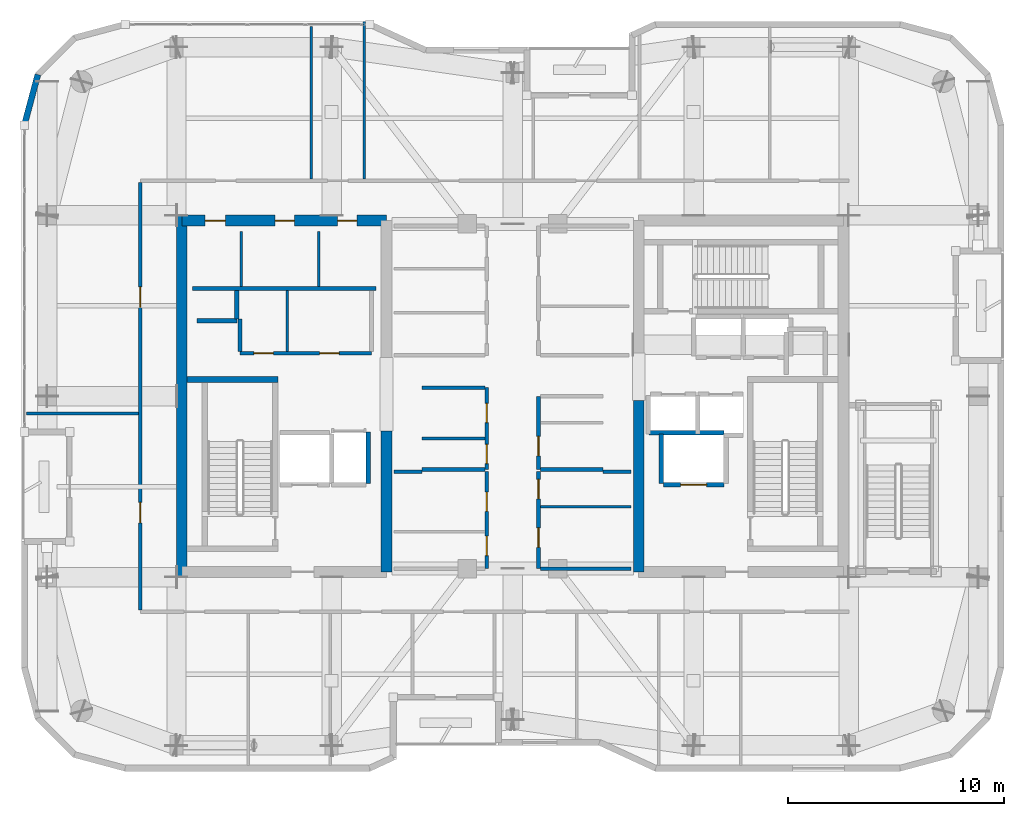
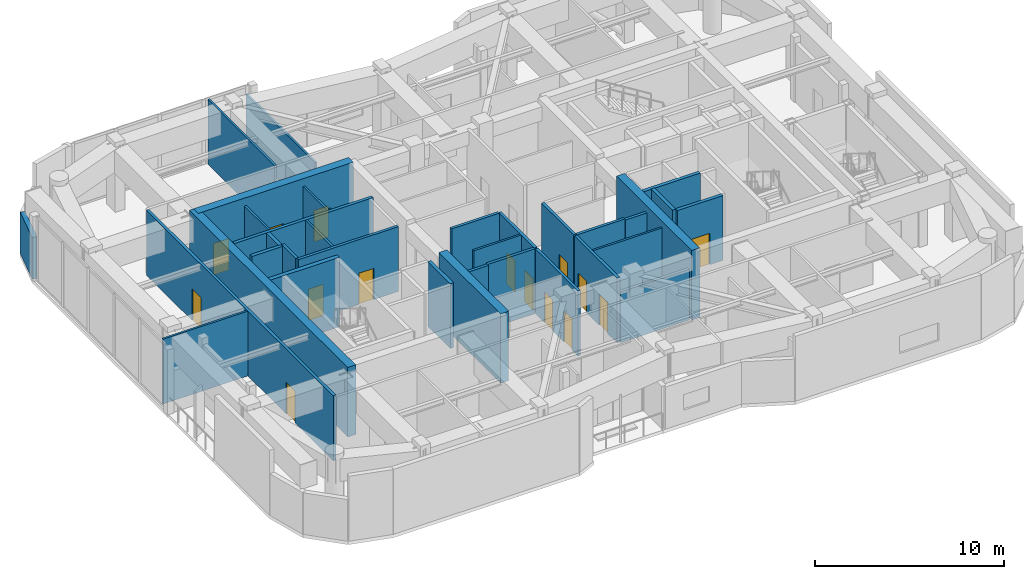
# One storey, part 12 of 17: 34 walls, 15 doors, 15 openings.
"""IFC4 building model written with IfcOpenShell, lengths in metres."""

import ifcopenshell
import ifcopenshell.guid

model = None  # the IFC model being written
_history = None  # IfcOwnerHistory: only IFC2X3 demands one
_inside = {}  # id of a spatial element -> (the spatial element, [elements in it])
_under = {}  # id of a project, library or spatial element -> (it, [spatial elements below it])
_declared = {}  # id of a project -> (the project, [libraries it declares])
_typed = {}  # id of a type object -> (the type object, [elements of that type])
_made_of = {}  # id of a material, layer set ... -> (it, [elements and type objects made of it])


def new_model(schema):
    """Start an empty IFC model of exactly this schema.

    Asked for "IFC4X3", IfcOpenShell would pick the latest addendum, in which some entities
    have other attributes; the version numbers below select the first issue.
    IFC2X3 requires an IfcOwnerHistory on every rooted entity: one is made here for all.
    """
    global model, _history
    if schema == "IFC4X3":
        model = ifcopenshell.file(schema_version=(4, 3, 0, 0))
    else:
        model = ifcopenshell.file(schema=schema)
    _inside.clear()
    _under.clear()
    _declared.clear()
    _typed.clear()
    _made_of.clear()
    _history = None
    if model.schema == "IFC2X3":
        org = make("IfcOrganization", Name="unknown")
        user = make(
            "IfcPersonAndOrganization",
            ThePerson=make("IfcPerson", FamilyName="unknown"),
            TheOrganization=org,
        )
        app = make(
            "IfcApplication",
            ApplicationDeveloper=org,
            Version="unknown",
            ApplicationFullName="unknown",
            ApplicationIdentifier="unknown",
        )
        _history = make(
            "IfcOwnerHistory",
            OwningUser=user,
            OwningApplication=app,
            ChangeAction="ADDED",
            CreationDate=0,
        )
    return model


def make(cls, **values):
    """One entity of the class cls with the attributes given. An attribute that is None is left unset."""
    return model.create_entity(
        cls, **{name: value for name, value in values.items() if value is not None}
    )


def rooted(cls, **values):
    """An entity with a GlobalId (a new one), such as an element, a storey or a relation."""
    return make(cls, GlobalId=ifcopenshell.guid.new(), OwnerHistory=_history, **values)


def si_unit(unit_type, name, prefix=None):
    """IfcSIUnit, for example si_unit("LENGTHUNIT", "METRE", prefix="MILLI")."""
    return make("IfcSIUnit", UnitType=unit_type, Prefix=prefix, Name=name)


def assignment(units):
    """IfcUnitAssignment: the units of a project."""
    return None if units is None else make("IfcUnitAssignment", Units=units)


def point(xyz):
    """IfcCartesianPoint."""
    return None if xyz is None else make("IfcCartesianPoint", Coordinates=xyz)


def direction(xyz):
    """IfcDirection."""
    return None if xyz is None else make("IfcDirection", DirectionRatios=xyz)


def frame(location, z_axis=None, x_axis=None):
    """IfcAxis2Placement3D, a coordinate frame: its origin and axes. An axis left out is left unset."""
    return make(
        "IfcAxis2Placement3D",
        Location=point(location),
        Axis=direction(z_axis),
        RefDirection=direction(x_axis),
    )


def frame_2d(location, x_axis=None):
    """IfcAxis2Placement2D, a coordinate frame in the plane: its origin and x axis."""
    return make(
        "IfcAxis2Placement2D", Location=point(location), RefDirection=direction(x_axis)
    )


def origin():
    """The frame at (0, 0, 0) with its axes left unset."""
    return frame((0.0, 0.0, 0.0))


def place(relative_to, where):
    """IfcLocalPlacement: puts the frame where relative to a parent placement (None: the world)."""
    return make(
        "IfcLocalPlacement", PlacementRelTo=relative_to, RelativePlacement=where
    )


def context(
    kind, dimensions, precision=None, world=None, true_north=None, identifier=None
):
    """IfcGeometricRepresentationContext, for example the 3D "Model" context."""
    return make(
        "IfcGeometricRepresentationContext",
        ContextIdentifier=identifier,
        ContextType=kind,
        CoordinateSpaceDimension=dimensions,
        Precision=precision,
        WorldCoordinateSystem=world,
        TrueNorth=true_north,
    )


def subcontext(parent, identifier, kind, view, scale=None):
    """IfcGeometricRepresentationSubContext, for example "Body" below "Model"."""
    return make(
        "IfcGeometricRepresentationSubContext",
        ContextIdentifier=identifier,
        ContextType=kind,
        ParentContext=parent,
        TargetScale=scale,
        TargetView=view,
    )


def project(units=None, contexts=None):
    """IfcProject with its units and contexts."""
    return rooted(
        "IfcProject",
        Name="project",
        RepresentationContexts=contexts,
        UnitsInContext=assignment(units),
    )


def spatial(cls, under=None, at=None, **own):
    """A site, building, storey or space (cls), placed at a placement, below another one or the project."""
    s = rooted(cls, ObjectPlacement=at, **own)
    if under is not None:
        _under.setdefault(under.id(), (under, []))[1].append(s)
    return s


def profile(cls, at=None, kind="AREA", **sizes):
    """A parametric profile (cls). Its sizes go by their IFC names, for example OverallWidth=200.0."""
    return make(cls, ProfileType=kind, Position=at, **sizes)


def rectangle(**sizes):
    """IfcRectangleProfileDef."""
    return profile("IfcRectangleProfileDef", **sizes)


def extrude(swept, where, along, depth):
    """IfcExtrudedAreaSolid: the profile swept, set in the frame where, extruded along a direction by depth."""
    return make(
        "IfcExtrudedAreaSolid",
        SweptArea=swept,
        Position=where,
        ExtrudedDirection=direction(along),
        Depth=depth,
    )


def shape(context_of_items, identifier, shape_type, items):
    """IfcShapeRepresentation: the items that make up one representation, for example the "Body"."""
    return make(
        "IfcShapeRepresentation",
        ContextOfItems=context_of_items,
        RepresentationIdentifier=identifier,
        RepresentationType=shape_type,
        Items=items,
    )


def material(Name=None, Category=None):
    """IfcMaterial."""
    return make("IfcMaterial", Name=Name, Category=Category)


def layer(
    of_material, thickness, ventilated=None, Name=None, Category=None, Priority=None
):
    """IfcMaterialLayer: one layer of a wall or slab, of a material (None: an air gap)."""
    return make(
        "IfcMaterialLayer",
        Material=of_material,
        LayerThickness=thickness,
        IsVentilated=ventilated,
        Name=Name,
        Category=Category,
        Priority=Priority,
    )


def layer_set(layers, Name=None):
    """IfcMaterialLayerSet."""
    return make("IfcMaterialLayerSet", MaterialLayers=layers, LayerSetName=Name)


def made_of(thing, what):
    """Note that an element or type object is made of a material, layer set ...; save() writes the relation."""
    if what is not None:
        _made_of.setdefault(what.id(), (what, []))[1].append(thing)
    return thing


def type_object(cls, material=None, **own):
    """A type object (cls), such as IfcWallType, which elements share."""
    return made_of(rooted(cls, **own), material)


def element(
    cls,
    number,
    at=None,
    inside=None,
    cuts=None,
    type_object=None,
    material=None,
    context=None,
    identifier="Body",
    shape_type=None,
    held_by="IfcProductDefinitionShape",
    body=None,
    shapes=None,
    **own,
):
    """One element of the class cls, such as IfcWall. Its Tag is "e" and its number.

    at: its placement. inside: the storey or other place that contains it. cuts: it is an
    opening in that element (IfcRelVoidsElement). A single representation is given by context,
    identifier, shape_type and body (its items); several are given by shapes. held_by: the class
    of the entity that holds the representations. save() writes the other relations.
    """
    e = rooted(cls, Tag="e%d" % number, ObjectPlacement=at, **own)
    if body is not None:
        shapes = [shape(context, identifier, shape_type, body)]
    if shapes is not None:
        e.Representation = make(held_by, Representations=shapes)
    if inside is not None:
        _inside.setdefault(inside.id(), (inside, []))[1].append(e)
    if cuts is not None:
        rooted(
            "IfcRelVoidsElement", RelatingBuildingElement=cuts, RelatedOpeningElement=e
        )
    if type_object is not None:
        _typed.setdefault(type_object.id(), (type_object, []))[1].append(e)
    return made_of(e, material)


def fill(opening, filler):
    """IfcRelFillsElement: the door or window that sits in an opening."""
    return rooted(
        "IfcRelFillsElement",
        RelatingOpeningElement=opening,
        RelatedBuildingElement=filler,
    )


def aggregate(whole, parts):
    """IfcRelAggregates: a whole, such as a stair, and the parts it consists of."""
    return rooted("IfcRelAggregates", RelatingObject=whole, RelatedObjects=parts)


def save(model, path):
    """Write the relations noted so far, then the file.

    IfcRelAggregates (storeys below a building ...), IfcRelContainedInSpatialStructure (elements
    in a storey), IfcRelDefinesByType, IfcRelAssociatesMaterial and IfcRelDeclares: one each for
    every whole, place, type object, material and project.
    """
    for whole, parts in _under.values():
        aggregate(whole, parts)
    for where, things in _inside.values():
        rooted(
            "IfcRelContainedInSpatialStructure",
            RelatedElements=things,
            RelatingStructure=where,
        )
    for kind, things in _typed.values():
        rooted("IfcRelDefinesByType", RelatedObjects=things, RelatingType=kind)
    for what, things in _made_of.values():
        rooted("IfcRelAssociatesMaterial", RelatedObjects=things, RelatingMaterial=what)
    for by, libraries in _declared.values():
        rooted("IfcRelDeclares", RelatingContext=by, RelatedDefinitions=libraries)
    model.write(path)


model = new_model("IFC4")

# Units and contexts
model_context = context("Model", 3, precision=1e-05, world=origin(), true_north=direction((0.0, 1.0)))
body_context = subcontext(model_context, "Body", "Model", "MODEL_VIEW")
ifc_project = project(units=[si_unit("LENGTHUNIT", "METRE"), si_unit("AREAUNIT", "SQUARE_METRE"), si_unit("VOLUMEUNIT", "CUBIC_METRE"), si_unit("PLANEANGLEUNIT", "RADIAN"), si_unit("MASSUNIT", "GRAM", prefix="KILO")], contexts=[model_context])

# Site, building, storey
site_placement = place(None, origin())
site = spatial("IfcSite", under=ifc_project, at=site_placement, CompositionType="ELEMENT")
building_placement = place(site_placement, origin())
building = spatial("IfcBuilding", under=site, at=building_placement, Name="Kiyonajd Concourse Tower", CompositionType="ELEMENT")
storey_placement = place(building_placement, frame((0.0, 0.0, 350.39990234375)))
storey = spatial("IfcBuildingStorey", under=building, at=storey_placement, Name="L88", CompositionType="ELEMENT", Elevation=350.39990234375)

# Walls
ifc_material_1 = material(Name="Concrete C60/75", Category="concrete")
ifc_layer_1 = layer(ifc_material_1, 0.5)
ifc_layer_set_1 = layer_set([ifc_layer_1], Name="Concrete C60/75")
wall_type_1 = type_object("IfcWallType", Name="WL-CORE-500", PredefinedType="SHEAR", material=ifc_layer_set_1)
wall_1_placement = place(storey_placement, frame((32.64990234375, 27.60009765625, 0.0), z_axis=(0.0, 0.0, 1.0), x_axis=(0.0, 1.0, 0.0)))
element("IfcWall", 1, at=wall_1_placement, inside=storey, type_object=wall_type_1, Name="L88 West Core Outer Shear Wall", PredefinedType="SHEAR", context=body_context, shape_type="SweptSolid", body=[
    extrude(rectangle(XDim=16.7998046875, YDim=0.5, at=frame_2d((8.39990234375, 0.0))), origin(), (0.0, 0.0, 1.0), 4.5),
])
wall_2_placement = place(storey_placement, frame((42.14990234375, 27.85009765625, 0.0), z_axis=(0.0, 0.0, 1.0), x_axis=(0.0, 1.0, 0.0)))
element("IfcWall", 2, at=wall_2_placement, inside=storey, type_object=wall_type_1, Name="L88 West Core Inner South Shear Wall", PredefinedType="SHEAR", context=body_context, shape_type="SweptSolid", body=[
    extrude(rectangle(XDim=6.5498046875, YDim=0.5, at=frame_2d((3.27490234375, 0.0))), origin(), (0.0, 0.0, 1.0), 4.5),
])

# Wall, openings, doors
wall_3_placement = place(storey_placement, frame((32.64990234375, 44.14990234375, 0.0), z_axis=(0.0, 0.0, 1.0), x_axis=(1.0, 0.0, 0.0)))
wall_3 = element("IfcWall", 3, at=wall_3_placement, inside=storey, type_object=wall_type_1, Name="L88 West Core North Shear Wall", PredefinedType="SHEAR", context=body_context, shape_type="SweptSolid", body=[
    extrude(rectangle(XDim=9.5, YDim=0.5, at=frame_2d((4.75, 0.0))), origin(), (0.0, 0.0, 1.0), 4.5),
])
opening_1_placement = place(wall_3_placement, frame((1.074951171875, 0.0, 0.0)))
opening_1 = element("IfcOpeningElement", 4, at=opening_1_placement, cuts=wall_3, Name="Opening DI1", PredefinedType="OPENING", context=body_context, shape_type="SweptSolid", body=[
    extrude(rectangle(XDim=0.949951171875, YDim=2.0400390625, at=frame_2d((0.47509765625, 1.02001953125))), frame((0.0, 0.260009765625, 0.0), z_axis=(0.0, -1.0, 0.0), x_axis=(1.0, 0.0, 0.0)), (0.0, 0.0, 1.0), 0.52001953125),
])
opening_2_placement = place(wall_3_placement, frame((4.324951171875, 0.0, 0.0)))
opening_2 = element("IfcOpeningElement", 5, at=opening_2_placement, cuts=wall_3, Name="Opening DI2", PredefinedType="OPENING", context=body_context, shape_type="SweptSolid", body=[
    extrude(rectangle(XDim=0.89990234375, YDim=2.02001953125, at=frame_2d((0.449951171875, 1.010009765625))), frame((0.0, 0.260009765625, 0.0), z_axis=(0.0, -1.0, 0.0), x_axis=(1.0, 0.0, 0.0)), (0.0, 0.0, 1.0), 0.52001953125),
])
opening_3_placement = place(wall_3_placement, frame((7.22509765625, 0.0, 0.0)))
opening_3 = element("IfcOpeningElement", 6, at=opening_3_placement, cuts=wall_3, Name="Opening DI2", PredefinedType="OPENING", context=body_context, shape_type="SweptSolid", body=[
    extrude(rectangle(XDim=0.89990234375, YDim=2.02001953125, at=frame_2d((0.449951171875, 1.010009765625))), frame((0.0, 0.260009765625, 0.0), z_axis=(0.0, -1.0, 0.0), x_axis=(1.0, 0.0, 0.0)), (0.0, 0.0, 1.0), 0.52001953125),
])
ifc_material_2 = material(Name="Natural Oak Acoustic Timber Veneer", Category="wood")
door_type_1 = type_object("IfcDoorType", Name="DR-INT-900", OperationType="NOTDEFINED", PredefinedType="DOOR", material=ifc_material_2)
door_1_placement = place(opening_2_placement, origin())
door_1 = element("IfcDoor", 7, at=door_1_placement, inside=storey, type_object=door_type_1, Name="L88 Male Restroom Door", OperationType="SINGLE_SWING_RIGHT", OverallHeight=2.02001953125, OverallWidth=0.89990234375, PredefinedType="DOOR", context=body_context, shape_type="SweptSolid", body=[
    extrude(rectangle(XDim=0.89990234375, YDim=2.02001953125, at=frame_2d((0.449951171875, 1.010009765625))), frame((0.0, 0.02490234375, 0.0), z_axis=(0.0, -1.0, 0.0), x_axis=(1.0, 0.0, 0.0)), (0.0, 0.0, 1.0), 0.050048828125),
])
fill(opening_2, door_1)
door_2_placement = place(opening_3_placement, origin())
door_2 = element("IfcDoor", 8, at=door_2_placement, inside=storey, type_object=door_type_1, Name="L88 Female Restroom Door", OperationType="SINGLE_SWING_LEFT", OverallHeight=2.02001953125, OverallWidth=0.89990234375, PredefinedType="DOOR", context=body_context, shape_type="SweptSolid", body=[
    extrude(rectangle(XDim=0.89990234375, YDim=2.02001953125, at=frame_2d((0.449951171875, 1.010009765625))), frame((0.0, 0.02490234375, 0.0), z_axis=(0.0, -1.0, 0.0), x_axis=(1.0, 0.0, 0.0)), (0.0, 0.0, 1.0), 0.050048828125),
])
fill(opening_3, door_2)
door_type_2 = type_object("IfcDoorType", Name="DR-INT-950", OperationType="NOTDEFINED", PredefinedType="DOOR", material=ifc_material_2)
door_3_placement = place(opening_1_placement, origin())
door_3 = element("IfcDoor", 9, at=door_3_placement, inside=storey, type_object=door_type_2, Name="L88 Single User Accessible WC Door", OperationType="SINGLE_SWING_LEFT", OverallHeight=2.0400390625, OverallWidth=0.949951171875, PredefinedType="DOOR", context=body_context, shape_type="SweptSolid", body=[
    extrude(rectangle(XDim=0.949951171875, YDim=2.0400390625, at=frame_2d((0.47509765625, 1.02001953125))), frame((0.0, 0.02490234375, 0.0), z_axis=(0.0, -1.0, 0.0), x_axis=(1.0, 0.0, 0.0)), (0.0, 0.0, 1.0), 0.050048828125),
])
fill(opening_1, door_3)

# Walls
wall_4_placement = place(storey_placement, frame((53.85009765625, 27.85009765625, 0.0), z_axis=(0.0, 0.0, 1.0), x_axis=(0.0, 1.0, 0.0)))
element("IfcWall", 10, at=wall_4_placement, inside=storey, type_object=wall_type_1, Name="L88 East Core Inner South Shear Wall", PredefinedType="SHEAR", context=body_context, shape_type="SweptSolid", body=[
    extrude(rectangle(XDim=7.949951171875, YDim=0.5, at=frame_2d((3.97509765625, 0.0))), origin(), (0.0, 0.0, 1.0), 4.5),
])
ifc_material_3 = material(Name="Precast concrete C50/60", Category="concrete")
ifc_layer_2 = layer(ifc_material_3, 0.280029296875)
ifc_layer_set_2 = layer_set([ifc_layer_2], Name="Precast concrete C50/60")
wall_type_2 = type_object("IfcWallType", Name="WL-EXT-280", PredefinedType="SOLIDWALL", material=ifc_layer_set_2)
wall_5_placement = place(storey_placement, frame((25.340087890625, 48.58154296875, 0.0), z_axis=(0.0, 0.0, 1.0), x_axis=(0.258751159445, 0.965944013639, 0.0)))
element("IfcWall", 11, at=wall_5_placement, inside=storey, type_object=wall_type_2, Name="L88 Exterior Concrete Frame Wall 06", PredefinedType="SOLIDWALL", context=body_context, shape_type="SweptSolid", body=[
    extrude(rectangle(XDim=2.4287109375, YDim=0.280029296875, at=frame_2d((1.21435546875, 0.0))), origin(), (0.0, 0.0, 1.0), 2.695068359375),
])
ifc_material_4 = material(Name="Gypsum Board on Cold-Formed Steel Stud", Category="steel")
ifc_layer_3 = layer(ifc_material_4, 0.125)
ifc_layer_set_3 = layer_set([ifc_layer_3], Name="Gypsum Board on Cold-Formed Steel Stud")
wall_type_3 = type_object("IfcWallType", Name="WL-PART-125", PredefinedType="PARTITIONING", material=ifc_layer_set_3)
for number, where, z_axis, x_axis, name in (
    (12, (35.39990234375, 41.094970703125, 0.0), (0.0, 0.0, 1.0), (0.0, 1.0, 0.0), "L88 Interior Partition Wall"),
    (13, (39.0, 41.094970703125, 0.0), (0.0, 0.0, 1.0), (0.0, 1.0, 0.0), "L88 Interior Partition Wall"),
):
    element("IfcWall", number, at=place(storey_placement, frame(where, z_axis=z_axis, x_axis=x_axis)), inside=storey, type_object=wall_type_3, Name=name, PredefinedType="PARTITIONING", context=body_context, shape_type="SweptSolid", body=[
        extrude(rectangle(XDim=2.554931640625, YDim=0.125, at=frame_2d((1.27734375, 0.0))), origin(), (0.0, 0.0, 1.0), 4.2001953125),
    ])
wall_6_placement = place(storey_placement, frame((37.5458984375, 38.0869140625, 0.0), z_axis=(0.0, 0.0, 1.0), x_axis=(0.0, 1.0, 0.0)))
element("IfcWall", 14, at=wall_6_placement, inside=storey, type_object=wall_type_3, Name="L88 Interior Partition Wall", PredefinedType="PARTITIONING", context=body_context, shape_type="SweptSolid", body=[
    extrude(rectangle(XDim=2.81298828125, YDim=0.125, at=frame_2d((1.406494140625, 0.0))), origin(), (0.0, 0.0, 1.0), 4.2001953125),
])
wall_7_placement = place(storey_placement, frame((43.800048828125, 34.0439453125, 0.0), z_axis=(0.0, 0.0, 1.0), x_axis=(1.0, 0.0, 0.0)))
element("IfcWall", 15, at=wall_7_placement, inside=storey, type_object=wall_type_3, Name="L88 Interior Partition Wall", PredefinedType="PARTITIONING", context=body_context, shape_type="SweptSolid", body=[
    extrude(rectangle(XDim=2.912841796875, YDim=0.125, at=frame_2d((1.45654296875, 0.0))), origin(), (0.0, 0.0, 1.0), 4.2001953125),
])
wall_8_placement = place(storey_placement, frame((49.287109375, 30.8798828125, 0.0), z_axis=(0.0, 0.0, 1.0), x_axis=(1.0, 0.0, 0.0)))
element("IfcWall", 16, at=wall_8_placement, inside=storey, type_object=wall_type_3, Name="L88 Interior Partition Wall", PredefinedType="PARTITIONING", context=body_context, shape_type="SweptSolid", body=[
    extrude(rectangle(XDim=4.212890625, YDim=0.125, at=frame_2d((2.1064453125, 0.0))), origin(), (0.0, 0.0, 1.0), 4.2001953125),
])
wall_9_placement = place(storey_placement, frame((38.64990234375, 46.0869140625, 0.0), z_axis=(0.0, 0.0, 1.0), x_axis=(0.0, 1.0, 0.0)))
element("IfcWall", 17, at=wall_9_placement, inside=storey, type_object=wall_type_3, Name="L88 Interior Partition Wall", PredefinedType="PARTITIONING", context=body_context, shape_type="SweptSolid", body=[
    extrude(rectangle(XDim=7.068115234375, YDim=0.125, at=frame_2d((3.5341796875, 0.0))), origin(), (0.0, 0.0, 1.0), 4.2001953125),
])
wall_10_placement = place(storey_placement, frame((41.1201171875, 46.0869140625, 0.0), z_axis=(0.0, 0.0, 1.0), x_axis=(0.0, 1.0, 0.0)))
element("IfcWall", 18, at=wall_10_placement, inside=storey, type_object=wall_type_3, Name="L88 Interior Partition Wall", PredefinedType="PARTITIONING", context=body_context, shape_type="SweptSolid", body=[
    extrude(rectangle(XDim=7.31298828125, YDim=0.125, at=frame_2d((3.656494140625, 0.0))), origin(), (0.0, 0.0, 1.0), 3.523193359375),
])
wall_11_placement = place(storey_placement, frame((25.445068359375, 35.199951171875, 0.0), z_axis=(0.0, 0.0, 1.0), x_axis=(1.0, 0.0, 0.0)))
element("IfcWall", 19, at=wall_11_placement, inside=storey, type_object=wall_type_3, Name="L88 Interior Partition Wall", PredefinedType="PARTITIONING", context=body_context, shape_type="SweptSolid", body=[
    extrude(rectangle(XDim=5.19287109375, YDim=0.125, at=frame_2d((2.596435546875, 0.0))), origin(), (0.0, 0.0, 1.0), 4.2001953125),
])
ifc_layer_4 = layer(ifc_material_4, 0.18994140625)
ifc_layer_set_4 = layer_set([ifc_layer_4], Name="Gypsum Board on Cold-Formed Steel Stud")
wall_type_4 = type_object("IfcWallType", Name="WL-PLMB-190", PredefinedType="PLUMBINGWALL", material=ifc_layer_set_4)
wall_12_placement = place(storey_placement, frame((33.14990234375, 41.0, 0.0), z_axis=(0.0, 0.0, 1.0), x_axis=(1.0, 0.0, 0.0)))
element("IfcWall", 20, at=wall_12_placement, inside=storey, type_object=wall_type_4, Name="L88 Interior Partition Wall", PredefinedType="PLUMBINGWALL", context=body_context, shape_type="SweptSolid", body=[
    extrude(rectangle(XDim=8.5, YDim=0.18994140625, at=frame_2d((4.25, 0.0))), origin(), (0.0, 0.0, 1.0), 4.2001953125),
])
ifc_layer_5 = layer(ifc_material_4, 0.2099609375)
ifc_layer_set_5 = layer_set([ifc_layer_5], Name="Gypsum Board on Cold-Formed Steel Stud")
wall_type_5 = type_object("IfcWallType", Name="WL-SHAFT-210", PredefinedType="PARTITIONING", material=ifc_layer_set_5)
wall_13_placement = place(storey_placement, frame((33.360107421875, 39.5, 0.0), z_axis=(0.0, 0.0, 1.0), x_axis=(1.0, 0.0, 0.0)))
element("IfcWall", 21, at=wall_13_placement, inside=storey, type_object=wall_type_5, Name="L88 Shaft Enclosure Wall", PredefinedType="PARTITIONING", context=body_context, shape_type="SweptSolid", body=[
    extrude(rectangle(XDim=1.85986328125, YDim=0.2099609375, at=frame_2d((0.929931640625, 0.0))), origin(), (0.0, 0.0, 1.0), 4.2001953125),
])
wall_14_placement = place(storey_placement, frame((35.199951171875, 39.580078125, 0.0), z_axis=(0.0, 0.0, 1.0), x_axis=(0.0, 1.0, 0.0)))
element("IfcWall", 22, at=wall_14_placement, inside=storey, type_object=wall_type_5, Name="L88 Shaft Enclosure Wall", PredefinedType="PARTITIONING", context=body_context, shape_type="SweptSolid", body=[
    extrude(rectangle(XDim=1.31982421875, YDim=0.2099609375, at=frame_2d((0.659912109375, 0.0))), origin(), (0.0, 0.0, 1.0), 4.2001953125),
])

# Wall, opening, door
wall_15_placement = place(storey_placement, frame((55.0, 31.89990234375, 0.0), z_axis=(0.0, 0.0, 1.0), x_axis=(1.0, 0.0, 0.0)))
wall_15 = element("IfcWall", 23, at=wall_15_placement, inside=storey, type_object=wall_type_5, Name="L88 Shaft Enclosure Wall", PredefinedType="PARTITIONING", context=body_context, shape_type="SweptSolid", body=[
    extrude(rectangle(XDim=2.800048828125, YDim=0.2099609375, at=frame_2d((1.39990234375, 0.0))), origin(), (0.0, 0.0, 1.0), 4.2001953125),
])
opening_4_placement = place(wall_15_placement, frame((0.800048828125, 0.0, 0.0)))
opening_4 = element("IfcOpeningElement", 24, at=opening_4_placement, cuts=wall_15, Name="Opening LD2", PredefinedType="OPENING", context=body_context, shape_type="SweptSolid", body=[
    extrude(rectangle(XDim=1.199951171875, YDim=2.0400390625, at=frame_2d((0.60009765625, 1.02001953125))), frame((0.0, 0.114990234375, 0.0), z_axis=(0.0, -1.0, 0.0), x_axis=(1.0, 0.0, 0.0)), (0.0, 0.0, 1.0), 0.22998046875),
])
ifc_material_5 = material(Name="Brushed Stainless Steel Cab Assembly", Category="steel")
door_type_3 = type_object("IfcDoorType", Name="DR-LD-1200", OperationType="DOUBLE_DOOR_SLIDING", PredefinedType="DOOR", material=ifc_material_5)
door_4_placement = place(opening_4_placement, origin())
door_4 = element("IfcDoor", 25, at=door_4_placement, inside=storey, type_object=door_type_3, Name="L88 Lift FFL2 Sliding Landing Door", OperationType="DOUBLE_DOOR_SLIDING", OverallHeight=2.0400390625, OverallWidth=1.199951171875, PredefinedType="DOOR", context=body_context, shape_type="SweptSolid", body=[
    extrude(rectangle(XDim=1.199951171875, YDim=2.0400390625, at=frame_2d((0.60009765625, 1.02001953125))), frame((0.0, 0.02490234375, 0.0), z_axis=(0.0, -1.0, 0.0), x_axis=(1.0, 0.0, 0.0)), (0.0, 0.0, 1.0), 0.050048828125),
])
fill(opening_4, door_4)

# Walls
wall_16_placement = place(storey_placement, frame((54.320068359375, 34.300048828125, 0.0), z_axis=(0.0, 0.0, 1.0), x_axis=(1.0, 0.0, 0.0)))
element("IfcWall", 26, at=wall_16_placement, inside=storey, type_object=wall_type_5, Name="L88 Shaft Enclosure Wall", PredefinedType="PARTITIONING", context=body_context, shape_type="SweptSolid", body=[
    extrude(rectangle(XDim=3.47998046875, YDim=0.2099609375, at=frame_2d((1.739990234375, 0.0))), origin(), (0.0, 0.0, 1.0), 4.2001953125),
])
wall_17_placement = place(storey_placement, frame((54.89990234375, 31.9599609375, 0.0), z_axis=(0.0, 0.0, 1.0), x_axis=(0.0, 1.0, 0.0)))
element("IfcWall", 27, at=wall_17_placement, inside=storey, type_object=wall_type_5, Name="L88 Shaft Enclosure Wall", PredefinedType="PARTITIONING", context=body_context, shape_type="SweptSolid", body=[
    extrude(rectangle(XDim=2.280029296875, YDim=0.2099609375, at=frame_2d((1.14013671875, 0.0))), origin(), (0.0, 0.0, 1.0), 4.2001953125),
])
wall_18_placement = place(storey_placement, frame((41.300048828125, 31.9599609375, 0.0), z_axis=(0.0, 0.0, 1.0), x_axis=(0.0, 1.0, 0.0)))
element("IfcWall", 28, at=wall_18_placement, inside=storey, type_object=wall_type_5, Name="L88 Shaft Enclosure Wall", PredefinedType="PARTITIONING", context=body_context, shape_type="SweptSolid", body=[
    extrude(rectangle(XDim=2.380126953125, YDim=0.2099609375, at=frame_2d((1.18994140625, 0.0))), origin(), (0.0, 0.0, 1.0), 4.2001953125),
])

# Wall, openings, doors
ifc_layer_6 = layer(ifc_material_4, 0.169921875)
ifc_layer_set_6 = layer_set([ifc_layer_6], Name="Gypsum Board on Cold-Formed Steel Stud")
wall_type_6 = type_object("IfcWallType", Name="WL-SMK-170", PredefinedType="PARTITIONING", material=ifc_layer_set_6)
wall_19_placement = place(storey_placement, frame((35.35009765625, 38.0, 0.0), z_axis=(0.0, 0.0, 1.0), x_axis=(1.0, 0.0, 0.0)))
wall_19 = element("IfcWall", 29, at=wall_19_placement, inside=storey, type_object=wall_type_6, Name="L88 Interior Partition Wall", PredefinedType="PARTITIONING", context=body_context, shape_type="SweptSolid", body=[
    extrude(rectangle(XDim=6.099853515625, YDim=0.169921875, at=frame_2d((3.0498046875, 0.0))), origin(), (0.0, 0.0, 1.0), 4.2001953125),
])
opening_5_placement = place(wall_19_placement, frame((0.64794921875, 0.0, 0.0)))
opening_5 = element("IfcOpeningElement", 30, at=opening_5_placement, cuts=wall_19, Name="Opening DI2", PredefinedType="OPENING", context=body_context, shape_type="SweptSolid", body=[
    extrude(rectangle(XDim=0.89990234375, YDim=2.02001953125, at=frame_2d((0.449951171875, 1.010009765625))), frame((0.0, 0.094970703125, 0.0), z_axis=(0.0, -1.0, 0.0), x_axis=(1.0, 0.0, 0.0)), (0.0, 0.0, 1.0), 0.18994140625),
])
opening_6_placement = place(wall_19_placement, frame((3.697998046875, 0.0, 0.0)))
opening_6 = element("IfcOpeningElement", 31, at=opening_6_placement, cuts=wall_19, Name="Opening DI2", PredefinedType="OPENING", context=body_context, shape_type="SweptSolid", body=[
    extrude(rectangle(XDim=0.89990234375, YDim=2.02001953125, at=frame_2d((0.449951171875, 1.010009765625))), frame((0.0, 0.094970703125, 0.0), z_axis=(0.0, -1.0, 0.0), x_axis=(1.0, 0.0, 0.0)), (0.0, 0.0, 1.0), 0.18994140625),
])
door_5_placement = place(opening_5_placement, origin())
door_5 = element("IfcDoor", 32, at=door_5_placement, inside=storey, type_object=door_type_1, Name="L88 Interior Door", OperationType="SINGLE_SWING_RIGHT", OverallHeight=2.02001953125, OverallWidth=0.89990234375, PredefinedType="DOOR", context=body_context, shape_type="SweptSolid", body=[
    extrude(rectangle(XDim=0.89990234375, YDim=2.02001953125, at=frame_2d((0.449951171875, 1.010009765625))), frame((0.0, 0.02490234375, 0.0), z_axis=(0.0, -1.0, 0.0), x_axis=(1.0, 0.0, 0.0)), (0.0, 0.0, 1.0), 0.050048828125),
])
fill(opening_5, door_5)
door_6_placement = place(opening_6_placement, origin())
door_6 = element("IfcDoor", 33, at=door_6_placement, inside=storey, type_object=door_type_1, Name="L88 Interior Door", OperationType="SINGLE_SWING_LEFT", OverallHeight=2.02001953125, OverallWidth=0.89990234375, PredefinedType="DOOR", context=body_context, shape_type="SweptSolid", body=[
    extrude(rectangle(XDim=0.89990234375, YDim=2.02001953125, at=frame_2d((0.449951171875, 1.010009765625))), frame((0.0, 0.02490234375, 0.0), z_axis=(0.0, -1.0, 0.0), x_axis=(1.0, 0.0, 0.0)), (0.0, 0.0, 1.0), 0.050048828125),
])
fill(opening_6, door_6)

# Wall
wall_20_placement = place(storey_placement, frame((35.35009765625, 38.0869140625, 0.0), z_axis=(0.0, 0.0, 1.0), x_axis=(0.0, 1.0, 0.0)))
element("IfcWall", 34, at=wall_20_placement, inside=storey, type_object=wall_type_6, Name="L88 Interior Partition Wall", PredefinedType="PARTITIONING", context=body_context, shape_type="SweptSolid", body=[
    extrude(rectangle(XDim=1.4931640625, YDim=0.169921875, at=frame_2d((0.74658203125, 0.0))), origin(), (0.0, 0.0, 1.0), 4.2001953125),
])

# Wall, openings, doors
wall_21_placement = place(storey_placement, frame((46.800048828125, 32.60009765625, 0.0), z_axis=(0.0, 0.0, 1.0), x_axis=(0.0, 1.0, 0.0)))
wall_21 = element("IfcWall", 35, at=wall_21_placement, inside=storey, type_object=wall_type_6, Name="L88 Interior Partition Wall", PredefinedType="PARTITIONING", context=body_context, shape_type="SweptSolid", body=[
    extrude(rectangle(XDim=3.7998046875, YDim=0.169921875, at=frame_2d((1.89990234375, 0.0))), origin(), (0.0, 0.0, 1.0), 4.2001953125),
])
opening_7_placement = place(wall_21_placement, frame((0.27197265625, 0.0, 0.0)))
opening_7 = element("IfcOpeningElement", 36, at=opening_7_placement, cuts=wall_21, Name="Opening DI2", PredefinedType="OPENING", context=body_context, shape_type="SweptSolid", body=[
    extrude(rectangle(XDim=0.89990234375, YDim=2.02001953125, at=frame_2d((0.449951171875, 1.010009765625))), frame((0.0, 0.094970703125, 0.0), z_axis=(0.0, -1.0, 0.0), x_axis=(1.0, 0.0, 0.0)), (0.0, 0.0, 1.0), 0.18994140625),
])
opening_8_placement = place(wall_21_placement, frame((2.172119140625, 0.0, 0.0)))
opening_8 = element("IfcOpeningElement", 37, at=opening_8_placement, cuts=wall_21, Name="Opening DI2", PredefinedType="OPENING", context=body_context, shape_type="SweptSolid", body=[
    extrude(rectangle(XDim=0.89990234375, YDim=2.02001953125, at=frame_2d((0.449951171875, 1.010009765625))), frame((0.0, 0.094970703125, 0.0), z_axis=(0.0, -1.0, 0.0), x_axis=(1.0, 0.0, 0.0)), (0.0, 0.0, 1.0), 0.18994140625),
])
door_7_placement = place(opening_7_placement, origin())
door_7 = element("IfcDoor", 38, at=door_7_placement, inside=storey, type_object=door_type_1, Name="L88 Interior Door", OperationType="SINGLE_SWING_RIGHT", OverallHeight=2.02001953125, OverallWidth=0.89990234375, PredefinedType="DOOR", context=body_context, shape_type="SweptSolid", body=[
    extrude(rectangle(XDim=0.89990234375, YDim=2.02001953125, at=frame_2d((0.449951171875, 1.010009765625))), frame((0.0, 0.02490234375, 0.0), z_axis=(0.0, -1.0, 0.0), x_axis=(1.0, 0.0, 0.0)), (0.0, 0.0, 1.0), 0.050048828125),
])
fill(opening_7, door_7)
door_8_placement = place(opening_8_placement, origin())
door_8 = element("IfcDoor", 39, at=door_8_placement, inside=storey, type_object=door_type_1, Name="L88 Interior Door", OperationType="SINGLE_SWING_LEFT", OverallHeight=2.02001953125, OverallWidth=0.89990234375, PredefinedType="DOOR", context=body_context, shape_type="SweptSolid", body=[
    extrude(rectangle(XDim=0.89990234375, YDim=2.02001953125, at=frame_2d((0.449951171875, 1.010009765625))), frame((0.0, 0.02490234375, 0.0), z_axis=(0.0, -1.0, 0.0), x_axis=(1.0, 0.0, 0.0)), (0.0, 0.0, 1.0), 0.050048828125),
])
fill(opening_8, door_8)

# Walls
for number, where, z_axis, x_axis, name in (
    (40, (43.800048828125, 32.60009765625, 0.0), (0.0, 0.0, 1.0), (1.0, 0.0, 0.0), "L88 Interior Partition Wall"),
    (41, (43.800048828125, 36.39990234375, 0.0), (0.0, 0.0, 1.0), (1.0, 0.0, 0.0), "L88 Interior Partition Wall"),
):
    element("IfcWall", number, at=place(storey_placement, frame(where, z_axis=z_axis, x_axis=x_axis)), inside=storey, type_object=wall_type_6, Name=name, PredefinedType="PARTITIONING", context=body_context, shape_type="SweptSolid", body=[
        extrude(rectangle(XDim=2.912841796875, YDim=0.169921875, at=frame_2d((1.45654296875, 0.0))), origin(), (0.0, 0.0, 1.0), 4.2001953125),
    ])

# Wall, opening, door
wall_22_placement = place(storey_placement, frame((49.199951171875, 32.60009765625, 0.0), z_axis=(0.0, 0.0, 1.0), x_axis=(0.0, 1.0, 0.0)))
wall_22 = element("IfcWall", 42, at=wall_22_placement, inside=storey, type_object=wall_type_6, Name="L88 Interior Partition Wall", PredefinedType="PARTITIONING", context=body_context, shape_type="SweptSolid", body=[
    extrude(rectangle(XDim=3.39990234375, YDim=0.169921875, at=frame_2d((1.699951171875, 0.0))), origin(), (0.0, 0.0, 1.0), 4.2001953125),
])
opening_9_placement = place(wall_22_placement, frame((0.637939453125, 0.0, 0.0)))
opening_9 = element("IfcOpeningElement", 43, at=opening_9_placement, cuts=wall_22, Name="Opening DF4", PredefinedType="OPENING", context=body_context, shape_type="SweptSolid", body=[
    extrude(rectangle(XDim=0.89990234375, YDim=2.02001953125, at=frame_2d((0.449951171875, 1.010009765625))), frame((0.0, 0.094970703125, 0.0), z_axis=(0.0, -1.0, 0.0), x_axis=(1.0, 0.0, 0.0)), (0.0, 0.0, 1.0), 0.18994140625),
])
door_type_4 = type_object("IfcDoorType", Name="DR-FD60-900", OperationType="NOTDEFINED", PredefinedType="DOOR", material=ifc_material_5)
door_9_placement = place(opening_9_placement, origin())
door_9 = element("IfcDoor", 44, at=door_9_placement, inside=storey, type_object=door_type_4, Name="L88 Interior Door", OperationType="SINGLE_SWING_RIGHT", OverallHeight=2.02001953125, OverallWidth=0.89990234375, PredefinedType="DOOR", context=body_context, shape_type="SweptSolid", body=[
    extrude(rectangle(XDim=0.89990234375, YDim=2.02001953125, at=frame_2d((0.449951171875, 1.010009765625))), frame((0.0, 0.02490234375, 0.0), z_axis=(0.0, -1.0, 0.0), x_axis=(1.0, 0.0, 0.0)), (0.0, 0.0, 1.0), 0.050048828125),
])
fill(opening_9, door_9)

# Wall
wall_23_placement = place(storey_placement, frame((49.287109375, 32.60009765625, 0.0), z_axis=(0.0, 0.0, 1.0), x_axis=(1.0, 0.0, 0.0)))
element("IfcWall", 45, at=wall_23_placement, inside=storey, type_object=wall_type_6, Name="L88 Interior Partition Wall", PredefinedType="PARTITIONING", context=body_context, shape_type="SweptSolid", body=[
    extrude(rectangle(XDim=2.912841796875, YDim=0.169921875, at=frame_2d((1.45654296875, 0.0))), origin(), (0.0, 0.0, 1.0), 4.2001953125),
])

# Wall, openings, doors
wall_24_placement = place(storey_placement, frame((46.800048828125, 28.0, 0.0), z_axis=(0.0, 0.0, 1.0), x_axis=(0.0, 1.0, 0.0)))
wall_24 = element("IfcWall", 46, at=wall_24_placement, inside=storey, type_object=wall_type_6, Name="L88 Interior Partition Wall", PredefinedType="PARTITIONING", context=body_context, shape_type="SweptSolid", body=[
    extrude(rectangle(XDim=4.5, YDim=0.169921875, at=frame_2d((2.25, 0.0))), origin(), (0.0, 0.0, 1.0), 4.2001953125),
])
opening_10_placement = place(wall_24_placement, frame((0.60498046875, 0.0, 0.0)))
opening_10 = element("IfcOpeningElement", 47, at=opening_10_placement, cuts=wall_24, Name="Opening DI2", PredefinedType="OPENING", context=body_context, shape_type="SweptSolid", body=[
    extrude(rectangle(XDim=0.89990234375, YDim=2.02001953125, at=frame_2d((0.449951171875, 1.010009765625))), frame((0.0, 0.094970703125, 0.0), z_axis=(0.0, -1.0, 0.0), x_axis=(1.0, 0.0, 0.0)), (0.0, 0.0, 1.0), 0.18994140625),
])
opening_11_placement = place(wall_24_placement, frame((2.655029296875, 0.0, 0.0)))
opening_11 = element("IfcOpeningElement", 48, at=opening_11_placement, cuts=wall_24, Name="Opening DI2", PredefinedType="OPENING", context=body_context, shape_type="SweptSolid", body=[
    extrude(rectangle(XDim=0.89990234375, YDim=2.02001953125, at=frame_2d((0.449951171875, 1.010009765625))), frame((0.0, 0.094970703125, 0.0), z_axis=(0.0, -1.0, 0.0), x_axis=(1.0, 0.0, 0.0)), (0.0, 0.0, 1.0), 0.18994140625),
])
door_10_placement = place(opening_10_placement, origin())
door_10 = element("IfcDoor", 49, at=door_10_placement, inside=storey, type_object=door_type_1, Name="L88 Interior Door", OperationType="SINGLE_SWING_LEFT", OverallHeight=2.02001953125, OverallWidth=0.89990234375, PredefinedType="DOOR", context=body_context, shape_type="SweptSolid", body=[
    extrude(rectangle(XDim=0.89990234375, YDim=2.02001953125, at=frame_2d((0.449951171875, 1.010009765625))), frame((0.0, 0.02490234375, 0.0), z_axis=(0.0, -1.0, 0.0), x_axis=(1.0, 0.0, 0.0)), (0.0, 0.0, 1.0), 0.050048828125),
])
fill(opening_10, door_10)
door_11_placement = place(opening_11_placement, origin())
door_11 = element("IfcDoor", 50, at=door_11_placement, inside=storey, type_object=door_type_1, Name="L88 Interior Door", OperationType="SINGLE_SWING_RIGHT", OverallHeight=2.02001953125, OverallWidth=0.89990234375, PredefinedType="DOOR", context=body_context, shape_type="SweptSolid", body=[
    extrude(rectangle(XDim=0.89990234375, YDim=2.02001953125, at=frame_2d((0.449951171875, 1.010009765625))), frame((0.0, 0.02490234375, 0.0), z_axis=(0.0, -1.0, 0.0), x_axis=(1.0, 0.0, 0.0)), (0.0, 0.0, 1.0), 0.050048828125),
])
fill(opening_11, door_11)

# Wall
wall_25_placement = place(storey_placement, frame((42.5, 32.5, 0.0), z_axis=(0.0, 0.0, 1.0), x_axis=(1.0, 0.0, 0.0)))
element("IfcWall", 51, at=wall_25_placement, inside=storey, type_object=wall_type_6, Name="L88 Interior Partition Wall", PredefinedType="PARTITIONING", context=body_context, shape_type="SweptSolid", body=[
    extrude(rectangle(XDim=1.300048828125, YDim=0.169921875, at=frame_2d((0.64990234375, 0.0))), origin(), (0.0, 0.0, 1.0), 4.2001953125),
])

# Wall, openings, doors
wall_26_placement = place(storey_placement, frame((49.199951171875, 28.0, 0.0), z_axis=(0.0, 0.0, 1.0), x_axis=(0.0, 1.0, 0.0)))
wall_26 = element("IfcWall", 52, at=wall_26_placement, inside=storey, type_object=wall_type_6, Name="L88 Interior Partition Wall", PredefinedType="PARTITIONING", context=body_context, shape_type="SweptSolid", body=[
    extrude(rectangle(XDim=4.5, YDim=0.169921875, at=frame_2d((2.25, 0.0))), origin(), (0.0, 0.0, 1.0), 4.2001953125),
])
opening_12_placement = place(wall_26_placement, frame((0.989990234375, 0.0, 0.0)))
opening_12 = element("IfcOpeningElement", 53, at=opening_12_placement, cuts=wall_26, Name="Opening DF4", PredefinedType="OPENING", context=body_context, shape_type="SweptSolid", body=[
    extrude(rectangle(XDim=0.89990234375, YDim=2.02001953125, at=frame_2d((0.449951171875, 1.010009765625))), frame((0.0, 0.094970703125, 0.0), z_axis=(0.0, -1.0, 0.0), x_axis=(1.0, 0.0, 0.0)), (0.0, 0.0, 1.0), 0.18994140625),
])
opening_13_placement = place(wall_26_placement, frame((3.239990234375, 0.0, 0.0)))
opening_13 = element("IfcOpeningElement", 54, at=opening_13_placement, cuts=wall_26, Name="Opening DF4", PredefinedType="OPENING", context=body_context, shape_type="SweptSolid", body=[
    extrude(rectangle(XDim=0.89990234375, YDim=2.02001953125, at=frame_2d((0.449951171875, 1.010009765625))), frame((0.0, 0.094970703125, 0.0), z_axis=(0.0, -1.0, 0.0), x_axis=(1.0, 0.0, 0.0)), (0.0, 0.0, 1.0), 0.18994140625),
])
door_12_placement = place(opening_12_placement, origin())
door_12 = element("IfcDoor", 55, at=door_12_placement, inside=storey, type_object=door_type_4, Name="L88 Interior Door", OperationType="SINGLE_SWING_LEFT", OverallHeight=2.02001953125, OverallWidth=0.89990234375, PredefinedType="DOOR", context=body_context, shape_type="SweptSolid", body=[
    extrude(rectangle(XDim=0.89990234375, YDim=2.02001953125, at=frame_2d((0.449951171875, 1.010009765625))), frame((0.0, 0.02490234375, 0.0), z_axis=(0.0, -1.0, 0.0), x_axis=(1.0, 0.0, 0.0)), (0.0, 0.0, 1.0), 0.050048828125),
])
fill(opening_12, door_12)
door_13_placement = place(opening_13_placement, origin())
door_13 = element("IfcDoor", 56, at=door_13_placement, inside=storey, type_object=door_type_4, Name="L88 Interior Door", OperationType="SINGLE_SWING_RIGHT", OverallHeight=2.02001953125, OverallWidth=0.89990234375, PredefinedType="DOOR", context=body_context, shape_type="SweptSolid", body=[
    extrude(rectangle(XDim=0.89990234375, YDim=2.02001953125, at=frame_2d((0.449951171875, 1.010009765625))), frame((0.0, 0.02490234375, 0.0), z_axis=(0.0, -1.0, 0.0), x_axis=(1.0, 0.0, 0.0)), (0.0, 0.0, 1.0), 0.050048828125),
])
fill(opening_13, door_13)

# Walls
wall_27_placement = place(storey_placement, frame((49.287109375, 28.0, 0.0), z_axis=(0.0, 0.0, 1.0), x_axis=(1.0, 0.0, 0.0)))
element("IfcWall", 57, at=wall_27_placement, inside=storey, type_object=wall_type_6, Name="L88 Interior Partition Wall", PredefinedType="PARTITIONING", context=body_context, shape_type="SweptSolid", body=[
    extrude(rectangle(XDim=4.212890625, YDim=0.169921875, at=frame_2d((2.1064453125, 0.0))), origin(), (0.0, 0.0, 1.0), 3.28515625),
])
wall_28_placement = place(storey_placement, frame((52.199951171875, 32.5, 0.0), z_axis=(0.0, 0.0, 1.0), x_axis=(1.0, 0.0, 0.0)))
element("IfcWall", 58, at=wall_28_placement, inside=storey, type_object=wall_type_6, Name="L88 Interior Partition Wall", PredefinedType="PARTITIONING", context=body_context, shape_type="SweptSolid", body=[
    extrude(rectangle(XDim=1.300048828125, YDim=0.169921875, at=frame_2d((0.64990234375, 0.0))), origin(), (0.0, 0.0, 1.0), 4.2001953125),
])

# Wall, openings, doors
wall_29_placement = place(storey_placement, frame((30.72509765625, 26.0869140625, 0.0), z_axis=(0.0, 0.0, 1.0), x_axis=(0.0, 1.0, 0.0)))
wall_29 = element("IfcWall", 59, at=wall_29_placement, inside=storey, type_object=wall_type_6, Name="L88 Interior Partition Wall", PredefinedType="PARTITIONING", context=body_context, shape_type="SweptSolid", body=[
    extrude(rectangle(XDim=19.826171875, YDim=0.169921875, at=frame_2d((9.9130859375, 0.0))), origin(), (0.0, 0.0, 1.0), 4.2001953125),
])
opening_14_placement = place(wall_29_placement, frame((4.0380859375, 0.0, 0.0)))
opening_14 = element("IfcOpeningElement", 60, at=opening_14_placement, cuts=wall_29, Name="Opening DI1", PredefinedType="OPENING", context=body_context, shape_type="SweptSolid", body=[
    extrude(rectangle(XDim=0.949951171875, YDim=2.0400390625, at=frame_2d((0.47509765625, 1.02001953125))), frame((0.0, 0.094970703125, 0.0), z_axis=(0.0, -1.0, 0.0), x_axis=(1.0, 0.0, 0.0)), (0.0, 0.0, 1.0), 0.18994140625),
])
opening_15_placement = place(wall_29_placement, frame((14.0380859375, 0.0, 0.0)))
opening_15 = element("IfcOpeningElement", 61, at=opening_15_placement, cuts=wall_29, Name="Opening DI1", PredefinedType="OPENING", context=body_context, shape_type="SweptSolid", body=[
    extrude(rectangle(XDim=0.949951171875, YDim=2.0400390625, at=frame_2d((0.47509765625, 1.02001953125))), frame((0.0, 0.094970703125, 0.0), z_axis=(0.0, -1.0, 0.0), x_axis=(1.0, 0.0, 0.0)), (0.0, 0.0, 1.0), 0.18994140625),
])
door_14_placement = place(opening_14_placement, origin())
door_14 = element("IfcDoor", 62, at=door_14_placement, inside=storey, type_object=door_type_2, Name="L88 Interior Door", OperationType="SINGLE_SWING_RIGHT", OverallHeight=2.0400390625, OverallWidth=0.949951171875, PredefinedType="DOOR", context=body_context, shape_type="SweptSolid", body=[
    extrude(rectangle(XDim=0.949951171875, YDim=2.0400390625, at=frame_2d((0.47509765625, 1.02001953125))), frame((0.0, 0.02490234375, 0.0), z_axis=(0.0, -1.0, 0.0), x_axis=(1.0, 0.0, 0.0)), (0.0, 0.0, 1.0), 0.050048828125),
])
fill(opening_14, door_14)
door_15_placement = place(opening_15_placement, origin())
door_15 = element("IfcDoor", 63, at=door_15_placement, inside=storey, type_object=door_type_2, Name="L88 Interior Door", OperationType="SINGLE_SWING_LEFT", OverallHeight=2.0400390625, OverallWidth=0.949951171875, PredefinedType="DOOR", context=body_context, shape_type="SweptSolid", body=[
    extrude(rectangle(XDim=0.949951171875, YDim=2.0400390625, at=frame_2d((0.47509765625, 1.02001953125))), frame((0.0, 0.02490234375, 0.0), z_axis=(0.0, -1.0, 0.0), x_axis=(1.0, 0.0, 0.0)), (0.0, 0.0, 1.0), 0.050048828125),
])
fill(opening_15, door_15)

# Wall
ifc_material_6 = material(Name="Concrete C50/60", Category="concrete")
ifc_layer_7 = layer(ifc_material_6, 0.260009765625)
ifc_layer_set_7 = layer_set([ifc_layer_7], Name="Concrete C50/60")
wall_type_7 = type_object("IfcWallType", Name="WL-STAIR-260", PredefinedType="SHEAR", material=ifc_layer_set_7)
wall_30_placement = place(storey_placement, frame((32.89990234375, 36.780029296875, 0.0), z_axis=(0.0, 0.0, 1.0), x_axis=(1.0, 0.0, 0.0)))
element("IfcWall", 64, at=wall_30_placement, inside=storey, type_object=wall_type_7, Name="L88 Stair ST1 Structural North Wall", PredefinedType="SHEAR", context=body_context, shape_type="SweptSolid", body=[
    extrude(rectangle(XDim=4.210205078125, YDim=0.260009765625, at=frame_2d((2.10498046875, 0.0))), origin(), (0.0, 0.0, 1.0), 4.5),
])

save(model, "model.ifc")
